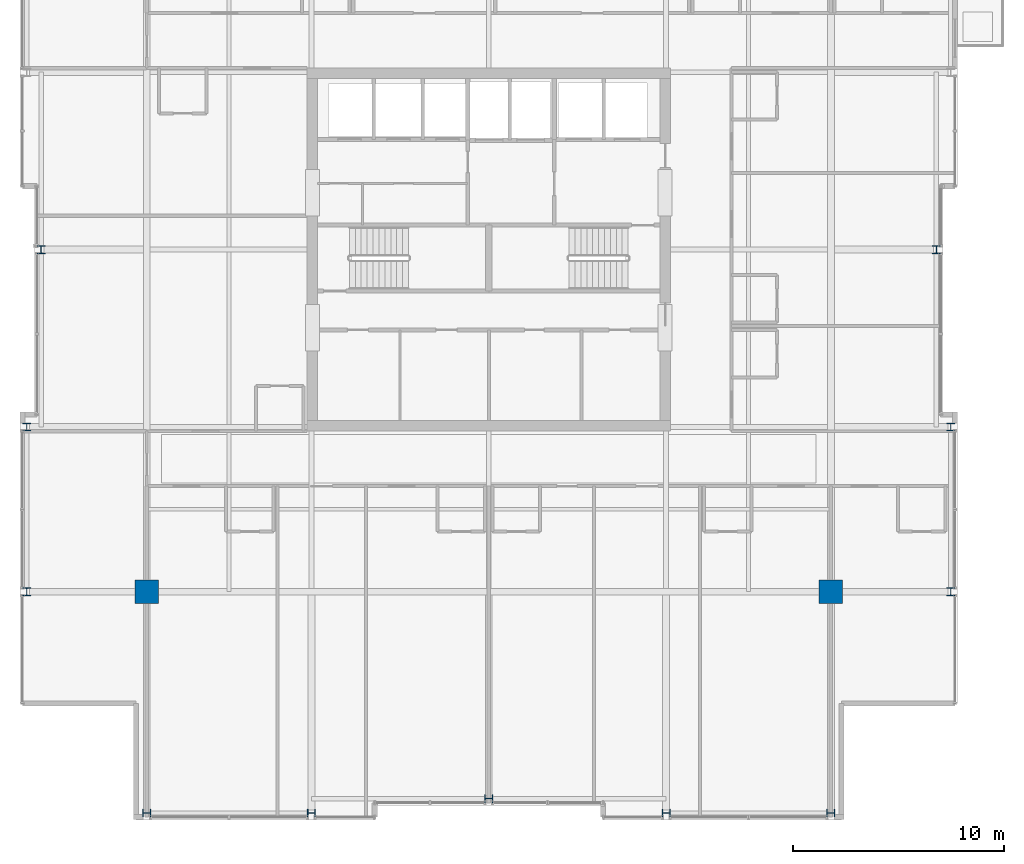
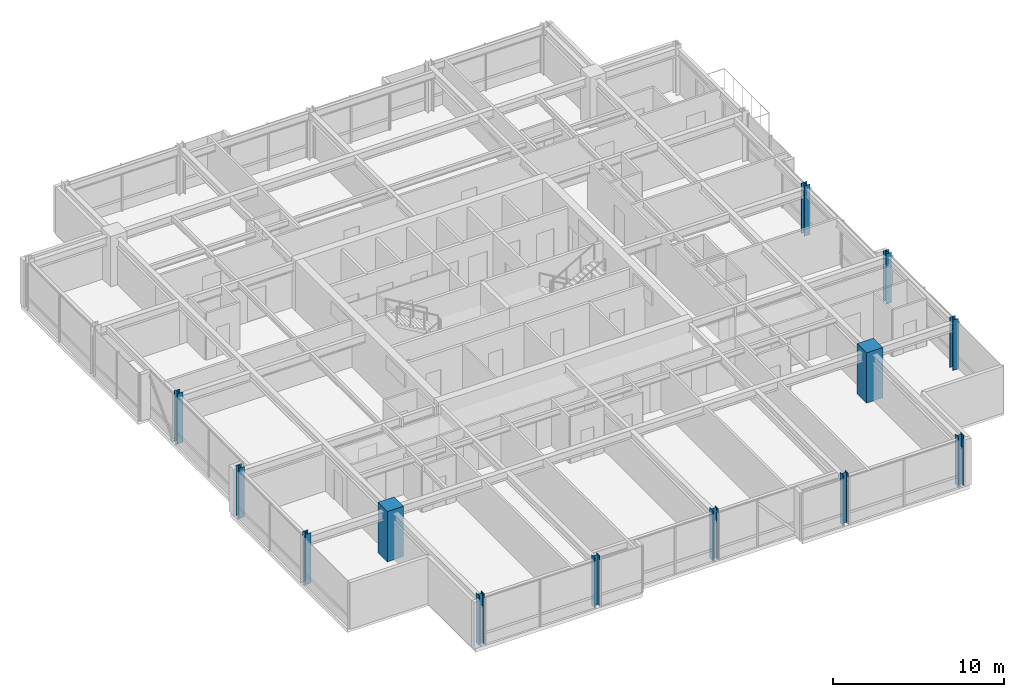
# One storey, part 1 of 33: 13 columns.
"""IFC4 building model written with IfcOpenShell, lengths in metres."""

from ifc_helpers import new_model, si_unit, direction, frame, origin, origin_2d, place, context, subcontext, project, spatial, rectangle, i_section, extrude, material, material_profile, profile_set, type_object, element, save


model = new_model("IFC4")

# Units and contexts
model_context = context("Model", 3, precision=1e-05, world=origin(), true_north=direction((0.0, 1.0)))
body_context = subcontext(model_context, "Body", "Model", "MODEL_VIEW")
ifc_project = project(units=[si_unit("LENGTHUNIT", "METRE"), si_unit("AREAUNIT", "SQUARE_METRE"), si_unit("VOLUMEUNIT", "CUBIC_METRE"), si_unit("PLANEANGLEUNIT", "RADIAN"), si_unit("MASSUNIT", "GRAM", prefix="KILO")], contexts=[model_context])

# Site, building, storey
site_placement = place(None, origin())
site = spatial("IfcSite", under=ifc_project, at=site_placement, CompositionType="ELEMENT")
building_placement = place(site_placement, origin())
building = spatial("IfcBuilding", under=site, at=building_placement, Name="Drelvath Grand Hotel", CompositionType="ELEMENT")
storey_placement = place(building_placement, frame((0.0, 0.0, 248.300048828125)))
storey = spatial("IfcBuildingStorey", under=building, at=storey_placement, Name="L65", CompositionType="ELEMENT", Elevation=248.300048828125)

# Columns
ifc_material_1 = material(Name="Concrete f'c 55 MPa", Category="concrete")
ifc_material_profile_1 = material_profile(ifc_material_1, rectangle(XDim=1.10009765625, YDim=1.10009765625, at=origin_2d()), Name="MC1100X1100")
ifc_profile_set_1 = profile_set([ifc_material_profile_1], Name="Concrete f'c 55 MPa")
column_type_1 = type_object("IfcColumnType", Name="Composite Mega Column MC1100X1100", PredefinedType="COLUMN", material=ifc_profile_set_1)
for number, where, z_axis, x_axis, name in (
    (1, (-16.199951171875, 10.800048828125, 0.0), (0.0, 0.0, 1.0), (1.0, 0.0, 0.0), "L65 Composite Mega Column MC-SW"),
    (2, (16.199951171875, 10.800048828125, 0.0), (0.0, 0.0, 1.0), (1.0, 0.0, 0.0), "L65 Composite Mega Column MC-SE"),
):
    element("IfcColumn", number, at=place(storey_placement, frame(where, z_axis=z_axis, x_axis=x_axis)), inside=storey, type_object=column_type_1, Name=name, PredefinedType="COLUMN", context=body_context, shape_type="SweptSolid", body=[
        extrude(rectangle(XDim=1.10009765625, YDim=1.10009765625, at=origin_2d()), origin(), (0.0, 0.0, 1.0), 3.599853515625),
    ])
ifc_material_2 = material(Name="Steel ASTM A913 Gr 65", Category="steel")
ifc_material_profile_2 = material_profile(ifc_material_2, i_section(OverallWidth=0.3740234375, OverallDepth=0.372314453125, WebThickness=0.016357421875, FlangeThickness=0.026123046875, FilletRadius=0.02490234375, at=origin_2d()), Name="W14X132")
ifc_profile_set_2 = profile_set([ifc_material_profile_2], Name="Steel ASTM A913 Gr 65")
column_type_2 = type_object("IfcColumnType", Name="Perimeter Steel Column W14X132", PredefinedType="COLUMN", material=ifc_profile_set_2)
for number, where, z_axis, x_axis, name in (
    (3, (-21.8798828125, 10.800048828125, 0.0), (0.0, 0.0, 1.0), (1.0, 0.0, 0.0), "L65 Structural Column TCW-C"),
    (4, (21.8798828125, 10.800048828125, 0.0), (0.0, 0.0, 1.0), (1.0, 0.0, 0.0), "L65 Structural Column TCE-C"),
    (5, (-21.8798828125, 18.60009765625, 0.0), (0.0, 0.0, 1.0), (1.0, 0.0, 0.0), "L65 Structural Column TCW-D"),
    (6, (21.8798828125, 18.60009765625, 0.0), (0.0, 0.0, 1.0), (1.0, 0.0, 0.0), "L65 Structural Column TCE-D"),
    (7, (-21.199951171875, 27.0, 0.0), (0.0, 0.0, 1.0), (1.0, 0.0, 0.0), "L65 Structural Column TCW-E"),
    (8, (21.199951171875, 27.0, 0.0), (0.0, 0.0, 1.0), (1.0, 0.0, 0.0), "L65 Structural Column TCE-E"),
    (9, (-16.199951171875, 0.320068359375, 0.0), (0.0, 0.0, 1.0), (0.0, 1.0, 0.0), "L65 Structural Column TCS-3"),
    (10, (-8.39990234375, 0.320068359375, 0.0), (0.0, 0.0, 1.0), (0.0, 1.0, 0.0), "L65 Structural Column TCS-4"),
    (11, (0.0, 1.0, 0.0), (0.0, 0.0, 1.0), (0.0, 1.0, 0.0), "L65 Structural Column TCS-5"),
    (12, (8.39990234375, 0.320068359375, 0.0), (0.0, 0.0, 1.0), (0.0, 1.0, 0.0), "L65 Structural Column TCS-6"),
    (13, (16.199951171875, 0.320068359375, 0.0), (0.0, 0.0, 1.0), (0.0, 1.0, 0.0), "L65 Structural Column TCS-7"),
):
    element("IfcColumn", number, at=place(storey_placement, frame(where, z_axis=z_axis, x_axis=x_axis)), inside=storey, type_object=column_type_2, Name=name, PredefinedType="COLUMN", context=body_context, shape_type="SweptSolid", body=[
        extrude(i_section(OverallWidth=0.3740234375, OverallDepth=0.372314453125, WebThickness=0.016357421875, FlangeThickness=0.026123046875, FilletRadius=0.02490234375, at=origin_2d()), origin(), (0.0, 0.0, 1.0), 3.596923828125),
    ])

save(model, "model.ifc")
